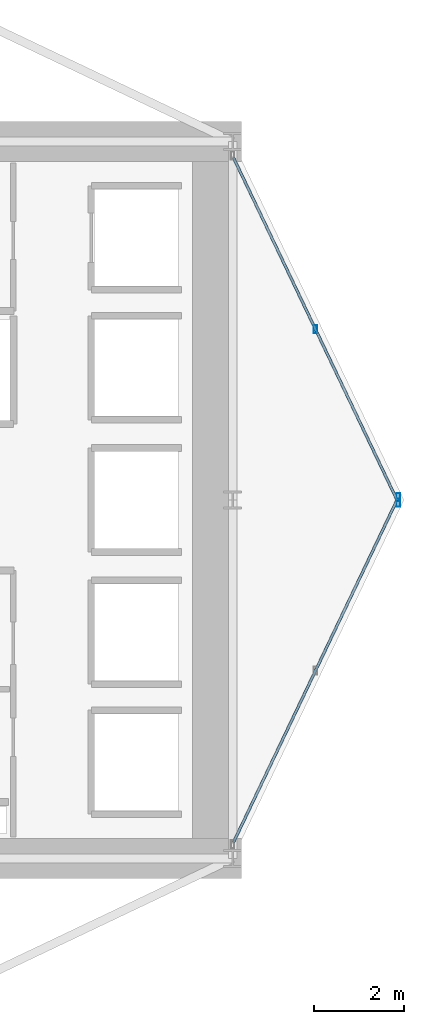
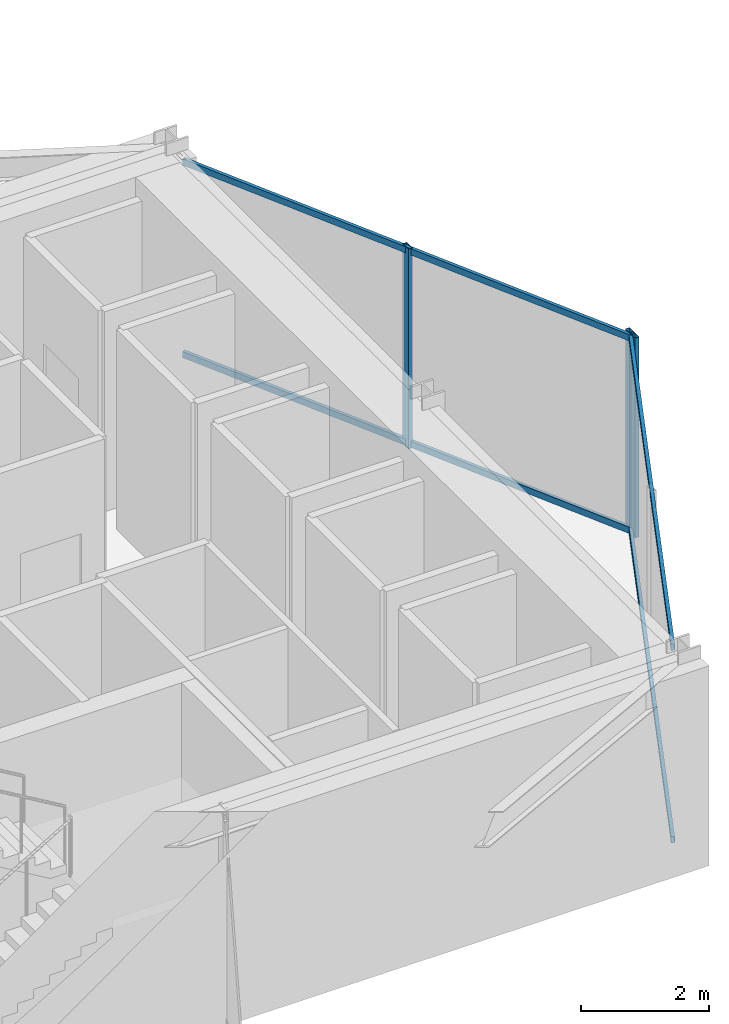
# One storey, part 15 of 25: 7 members, 2 elements without a shape of their own.
"""IFC4 building model written with IfcOpenShell, lengths in metres."""

from ifc_helpers import new_model, si_unit, direction, frame, origin, origin_2d, place, context, subcontext, project, spatial, hollow_rectangle, extrude, material, layer, layer_set, material_profile, profile_set, type_object, element, aggregate, save


model = new_model("IFC4")

# Units and contexts
model_context = context("Model", 3, precision=1e-05, world=origin(), true_north=direction((0.0, 1.0)))
body_context = subcontext(model_context, "Body", "Model", "MODEL_VIEW")
ifc_project = project(units=[si_unit("LENGTHUNIT", "METRE"), si_unit("AREAUNIT", "SQUARE_METRE"), si_unit("VOLUMEUNIT", "CUBIC_METRE"), si_unit("PLANEANGLEUNIT", "RADIAN"), si_unit("MASSUNIT", "GRAM", prefix="KILO")], contexts=[model_context])

# Site, building, storey
site_placement = place(None, origin())
site = spatial("IfcSite", under=ifc_project, at=site_placement, CompositionType="ELEMENT")
building_placement = place(site_placement, origin())
building = spatial("IfcBuilding", under=site, at=building_placement, Name="Veymaron Broadcast Tower", CompositionType="ELEMENT")
storey_placement = place(building_placement, frame((0.0, 0.0, 74.25)))
storey = spatial("IfcBuildingStorey", under=building, at=storey_placement, Name="L16", CompositionType="ELEMENT", Elevation=74.25)

# Curtain wall, member
ifc_material_1 = material(Name="Anodised aluminium AA 6063-T6 and laminated low-E dark glass", Category="aluminium")
ifc_layer = layer(ifc_material_1, 0.179931640625)
ifc_layer_set = layer_set([ifc_layer], Name="Anodised aluminium AA 6063-T6 and laminated low-E dark glass")
curtain_wall_type = type_object("IfcCurtainWallType", Name="CW-SYS-02", PredefinedType="NOTDEFINED", material=ifc_layer_set)
curtain_wall_1_placement = place(storey_placement, origin())
curtain_wall_1 = element("IfcCurtainWall", 1, at=curtain_wall_1_placement, inside=storey, type_object=curtain_wall_type, Name="L16 dark-glass curtain wall CW-L16-E2-1", PredefinedType="NOTDEFINED")
ifc_material_2 = material(Name="Anodised aluminium AA 6063-T6", Category="aluminium")
ifc_material_profile_1 = material_profile(ifc_material_2, hollow_rectangle(XDim=0.074951171875, YDim=0.179931640625, WallThickness=0.0048828125, at=origin_2d()), Name="AL180X75X5")
ifc_profile_set_1 = profile_set([ifc_material_profile_1], Name="Anodised aluminium AA 6063-T6")
member_type_1 = type_object("IfcMemberType", Name="CW-MUL-02", PredefinedType="MULLION", material=ifc_profile_set_1)
member_1_placement = place(storey_placement, frame((58.295654296875, 24.060302734375, 0.0), z_axis=(0.0, 0.0, 1.0), x_axis=(1.0, 0.0, 0.0)))
member_1 = element("IfcMember", 2, at=member_1_placement, type_object=member_type_1, Name="CW-L16-E2-1 mullion 2", PredefinedType="MULLION", context=body_context, shape_type="SweptSolid", body=[
    extrude(hollow_rectangle(XDim=0.074951171875, YDim=0.179931640625, WallThickness=0.0048828125, at=origin_2d()), origin(), (0.0, 0.0, 1.0), 3.81005859375),
])

# Curtain wall, members
curtain_wall_2_placement = place(storey_placement, origin())
curtain_wall_2 = element("IfcCurtainWall", 3, at=curtain_wall_2_placement, inside=storey, type_object=curtain_wall_type, Name="L16 dark-glass curtain wall CW-L16-E3-1", PredefinedType="NOTDEFINED")
member_2_placement = place(storey_placement, frame((58.295654296875, 23.939697265625, 0.0), z_axis=(0.0, 0.0, 1.0), x_axis=(1.0, 0.0, 0.0)))
member_2 = element("IfcMember", 4, at=member_2_placement, type_object=member_type_1, Name="CW-L16-E3-1 mullion 0", PredefinedType="MULLION", context=body_context, shape_type="SweptSolid", body=[
    extrude(hollow_rectangle(XDim=0.074951171875, YDim=0.179931640625, WallThickness=0.0048828125, at=origin_2d()), origin(), (0.0, 0.0, 1.0), 3.81005859375),
])
member_3_placement = place(storey_placement, frame((56.446044921875, 27.811279296875, 0.0), z_axis=(0.0, 0.0, 1.0), x_axis=(1.0, 0.0, 0.0)))
member_3 = element("IfcMember", 5, at=member_3_placement, type_object=member_type_1, Name="CW-L16-E3-1 mullion 1", PredefinedType="MULLION", context=body_context, shape_type="SweptSolid", body=[
    extrude(hollow_rectangle(XDim=0.074951171875, YDim=0.179931640625, WallThickness=0.0048828125, at=origin_2d()), origin(), (0.0, 0.0, 1.0), 3.81005859375),
])

# Member
ifc_material_profile_2 = material_profile(ifc_material_2, hollow_rectangle(XDim=0.06005859375, YDim=0.1201171875, WallThickness=0.00390625, at=origin_2d()), Name="AL120X60X4")
ifc_profile_set_2 = profile_set([ifc_material_profile_2], Name="Anodised aluminium AA 6063-T6")
member_type_2 = type_object("IfcMemberType", Name="CW-TRN-02", PredefinedType="USERDEFINED", material=ifc_profile_set_2)
member_4_placement = place(storey_placement, frame((54.617919921875, 16.362060546875, 0.070068359375), z_axis=(0.431068424187, 0.902319241548, 0.0), x_axis=(-0.902319241548, 0.431068424187, 0.0)))
member_4 = element("IfcMember", 6, at=member_4_placement, type_object=member_type_2, Name="CW-L16-E2-1 transom B", ObjectType="TRANSOM", PredefinedType="USERDEFINED", context=body_context, shape_type="SweptSolid", body=[
    extrude(hollow_rectangle(XDim=0.06005859375, YDim=0.1201171875, WallThickness=0.00390625, at=origin_2d()), origin(), (0.0, 0.0, 1.0), 8.48193359375),
])

member_5_placement = place(storey_placement, frame((54.617919921875, 16.362060546875, 3.739990234375), z_axis=(0.431068424187, 0.902319241548, 0.0), x_axis=(-0.902319241548, 0.431068424187, 0.0)))
member_5 = element("IfcMember", 7, at=member_5_placement, type_object=member_type_2, Name="CW-L16-E2-1 transom T", ObjectType="TRANSOM", PredefinedType="USERDEFINED", context=body_context, shape_type="SweptSolid", body=[
    extrude(hollow_rectangle(XDim=0.06005859375, YDim=0.1201171875, WallThickness=0.00390625, at=origin_2d()), origin(), (0.0, 0.0, 1.0), 8.48193359375),
])

aggregate(curtain_wall_1, [member_1, member_4, member_5])

member_6_placement = place(storey_placement, frame((58.274169921875, 23.984619140625, 0.070068359375), z_axis=(-0.431068424187, 0.902319241548, 0.0), x_axis=(-0.902319241548, -0.431068424187, 0.0)))
member_6 = element("IfcMember", 8, at=member_6_placement, type_object=member_type_2, Name="CW-L16-E3-1 transom B", ObjectType="TRANSOM", PredefinedType="USERDEFINED", context=body_context, shape_type="SweptSolid", body=[
    extrude(hollow_rectangle(XDim=0.06005859375, YDim=0.1201171875, WallThickness=0.00390625, at=origin_2d()), origin(), (0.0, 0.0, 1.0), 8.48193359375),
])

member_7_placement = place(storey_placement, frame((58.274169921875, 23.984619140625, 3.739990234375), z_axis=(-0.431068424187, 0.902319241548, 0.0), x_axis=(-0.902319241548, -0.431068424187, 0.0)))
member_7 = element("IfcMember", 9, at=member_7_placement, type_object=member_type_2, Name="CW-L16-E3-1 transom T", ObjectType="TRANSOM", PredefinedType="USERDEFINED", context=body_context, shape_type="SweptSolid", body=[
    extrude(hollow_rectangle(XDim=0.06005859375, YDim=0.1201171875, WallThickness=0.00390625, at=origin_2d()), origin(), (0.0, 0.0, 1.0), 8.48193359375),
])

aggregate(curtain_wall_2, [member_2, member_3, member_6, member_7])

save(model, "model.ifc")
